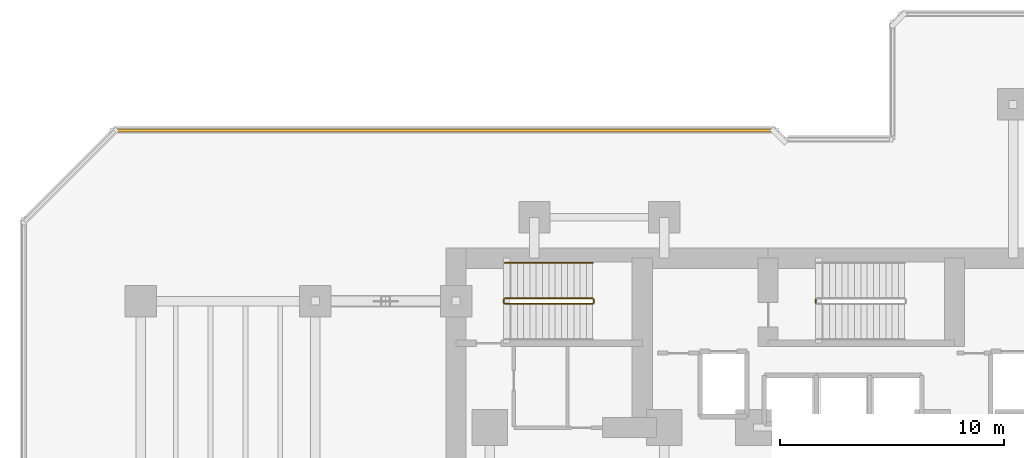
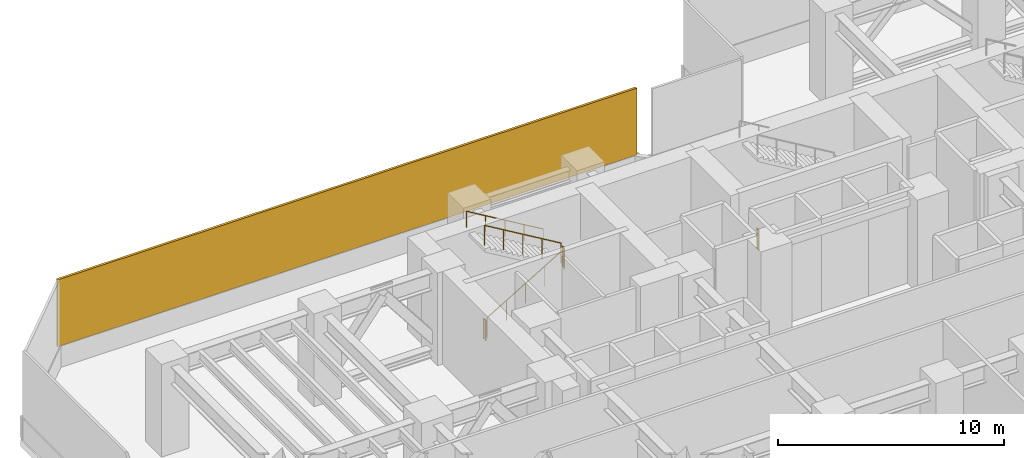
# One storey, part 11 of 13: 6 railings, 1 shading device.
"""IFC4 building model written with IfcOpenShell, lengths in metres."""

from ifc_helpers import new_model, si_unit, direction, frame, origin, origin_2d, place, context, subcontext, project, spatial, rectangle, circle, extrude, material, layer, layer_set, type_object, element, save


model = new_model("IFC4")

# Units and contexts
model_context = context("Model", 3, precision=1e-05, world=origin(), true_north=direction((0.0, 1.0)))
body_context = subcontext(model_context, "Body", "Model", "MODEL_VIEW")
ifc_project = project(units=[si_unit("LENGTHUNIT", "METRE"), si_unit("AREAUNIT", "SQUARE_METRE"), si_unit("VOLUMEUNIT", "CUBIC_METRE"), si_unit("PLANEANGLEUNIT", "RADIAN"), si_unit("MASSUNIT", "GRAM", prefix="KILO")], contexts=[model_context])

# Site, building, storey
site_placement = place(None, origin())
site = spatial("IfcSite", under=ifc_project, at=site_placement, CompositionType="ELEMENT")
building_placement = place(site_placement, origin())
building = spatial("IfcBuilding", under=site, at=building_placement, Name="Kestravale Grand Hotel", CompositionType="ELEMENT")
storey_placement = place(building_placement, frame((0.0, 0.0, 75.39990234375)))
storey = spatial("IfcBuildingStorey", under=building, at=storey_placement, Name="L18", CompositionType="ELEMENT", Elevation=75.39990234375)

# Railings
ifc_material_1 = material(Name="Painted tubular steel stair well guard", Category="steel")
railing_type_1 = type_object("IfcRailingType", Name="RL-ST-GRD1100", PredefinedType="GUARDRAIL", material=ifc_material_1)
railing_1_placement = place(storey_placement, frame((24.080078125, 38.280029296875, 0.166748046875)))
element("IfcRailing", 1, at=railing_1_placement, inside=storey, type_object=railing_type_1, Name="L18 ST-1 stair guard 1", PredefinedType="GUARDRAIL", context=body_context, shape_type="SweptSolid", body=[
    extrude(circle(Radius=0.02392578125, at=origin_2d()), frame((0.0, 0.0, 1.076171875), z_axis=(0.859296244711, 0.0, 0.511478214419), x_axis=(0.0, 1.0, 0.0)), (0.0, 0.0, 1.0), 4.561767578125),
    extrude(circle(Radius=0.02099609375, at=origin_2d()), origin(), (0.0, 0.0, 1.0), 1.052001953125),
    extrude(circle(Radius=0.02099609375, at=origin_2d()), frame((0.97998046875, 0.0, 0.583251953125)), (0.0, 0.0, 1.0), 1.052001953125),
    extrude(circle(Radius=0.02099609375, at=origin_2d()), frame((1.9599609375, 0.0, 1.16650390625)), (0.0, 0.0, 1.0), 1.052001953125),
    extrude(circle(Radius=0.02099609375, at=origin_2d()), frame((2.93994140625, 0.0, 1.75)), (0.0, 0.0, 1.0), 1.052001953125),
    extrude(circle(Radius=0.02099609375, at=origin_2d()), frame((3.919921875, 0.0, 2.333251953125)), (0.0, 0.0, 1.0), 1.052001953125),
])
railing_2_placement = place(storey_placement, frame((28.050048828125, 38.330078125, 2.5)))
element("IfcRailing", 2, at=railing_2_placement, inside=storey, type_object=railing_type_1, Name="L18 ST-1 stair guard 2", PredefinedType="GUARDRAIL", context=body_context, shape_type="SweptSolid", body=[
    extrude(circle(Radius=0.02392578125, at=origin_2d()), frame((0.0, 0.0, 1.076171875), z_axis=(0.0, 1.0, 0.0), x_axis=(-1.0, 0.0, 0.0)), (0.0, 0.0, 1.0), 0.14990234375),
    extrude(circle(Radius=0.02099609375, at=origin_2d()), origin(), (0.0, 0.0, 1.0), 1.052001953125),
    extrude(circle(Radius=0.02099609375, at=origin_2d()), frame((0.0, 0.14990234375, 0.0)), (0.0, 0.0, 1.0), 1.052001953125),
])
railing_3_placement = place(storey_placement, frame((28.0, 38.530029296875, 2.666748046875)))
element("IfcRailing", 3, at=railing_3_placement, inside=storey, type_object=railing_type_1, Name="L18 ST-1 stair guard 3", PredefinedType="GUARDRAIL", context=body_context, shape_type="SweptSolid", body=[
    extrude(circle(Radius=0.02392578125, at=origin_2d()), frame((0.0, 0.0, 1.076171875), z_axis=(-0.859296244711, 0.0, 0.511478214419), x_axis=(0.0, -1.0, 0.0)), (0.0, 0.0, 1.0), 4.561767578125),
    extrude(circle(Radius=0.02099609375, at=origin_2d()), origin(), (0.0, 0.0, 1.0), 1.052001953125),
    extrude(circle(Radius=0.02099609375, at=origin_2d()), frame((-0.97998046875, 0.0, 0.583251953125)), (0.0, 0.0, 1.0), 1.052001953125),
    extrude(circle(Radius=0.02099609375, at=origin_2d()), frame((-1.9599609375, 0.0, 1.16650390625)), (0.0, 0.0, 1.0), 1.052001953125),
    extrude(circle(Radius=0.02099609375, at=origin_2d()), frame((-2.93994140625, 0.0, 1.75)), (0.0, 0.0, 1.0), 1.052001953125),
    extrude(circle(Radius=0.02099609375, at=origin_2d()), frame((-3.919921875, 0.0, 2.333251953125)), (0.0, 0.0, 1.0), 1.052001953125),
])
for number, where, name in (
    (4, (24.030029296875, 38.330078125, 0.0), "L18 ST-1 stair guard 4"),
    (5, (37.97998046875, 38.330078125, 0.0), "L18 ST-2 stair guard 4"),
):
    element("IfcRailing", number, at=place(storey_placement, frame(where)), inside=storey, type_object=railing_type_1, Name=name, PredefinedType="GUARDRAIL", context=body_context, shape_type="SweptSolid", body=[
        extrude(circle(Radius=0.02392578125, at=origin_2d()), frame((0.0, 0.0, 1.076171875), z_axis=(0.0, 1.0, 0.0), x_axis=(-1.0, 0.0, 0.0)), (0.0, 0.0, 1.0), 0.14990234375),
        extrude(circle(Radius=0.02099609375, at=origin_2d()), origin(), (0.0, 0.0, 1.0), 1.052001953125),
        extrude(circle(Radius=0.02099609375, at=origin_2d()), frame((0.0, 0.14990234375, 0.0)), (0.0, 0.0, 1.0), 1.052001953125),
    ])
ifc_material_2 = material(Name="Brushed stainless steel wall handrail", Category="steel")
railing_type_2 = type_object("IfcRailingType", Name="RL-ST-HND900", PredefinedType="HANDRAIL", material=ifc_material_2)
railing_4_placement = place(storey_placement, frame((28.0, 40.110107421875, 2.666748046875)))
element("IfcRailing", 6, at=railing_4_placement, inside=storey, type_object=railing_type_2, Name="L18 ST-1 stair handrail 2", PredefinedType="HANDRAIL", context=body_context, shape_type="SweptSolid", body=[
    extrude(circle(Radius=0.02392578125, at=origin_2d()), frame((0.0, 0.0, 0.8759765625), z_axis=(-0.859296244711, 0.0, 0.511478214419), x_axis=(0.0, -1.0, 0.0)), (0.0, 0.0, 1.0), 4.561767578125),
    extrude(circle(Radius=0.02099609375, at=origin_2d()), origin(), (0.0, 0.0, 1.0), 0.851806640625),
    extrude(circle(Radius=0.02099609375, at=origin_2d()), frame((-0.97998046875, 0.0, 0.583251953125)), (0.0, 0.0, 1.0), 0.851806640625),
    extrude(circle(Radius=0.02099609375, at=origin_2d()), frame((-1.9599609375, 0.0, 1.16650390625)), (0.0, 0.0, 1.0), 0.851806640625),
    extrude(circle(Radius=0.02099609375, at=origin_2d()), frame((-2.93994140625, 0.0, 1.75)), (0.0, 0.0, 1.0), 0.851806640625),
    extrude(circle(Radius=0.02099609375, at=origin_2d()), frame((-3.919921875, 0.0, 2.333251953125)), (0.0, 0.0, 1.0), 0.851806640625),
])

# Shading device
ifc_material_3 = material(Name="Anodised bronze storm-proof acoustic ventilation louvre", Category="aluminium")
ifc_layer = layer(ifc_material_3, 0.1201171875)
ifc_layer_set = layer_set([ifc_layer], Name="SHD-LVR-REF")
shading_device_type = type_object("IfcShadingDeviceType", Name="SHD-LVR-REF", PredefinedType="JALOUSIE", material=ifc_layer_set)
shading_device_placement = place(storey_placement, frame((21.375, 46.030029296875, 1.1298828125), z_axis=(0.0, 0.0, 1.0), x_axis=(-1.0, 0.0, 0.0)))
element("IfcShadingDevice", 7, at=shading_device_placement, inside=storey, type_object=shading_device_type, Name="L18 mechanical refuge chevron louvre 17", PredefinedType="JALOUSIE", context=body_context, shape_type="SweptSolid", body=[
    extrude(rectangle(XDim=29.590087890625, YDim=0.1201171875, at=origin_2d()), origin(), (0.0, 0.0, 1.0), 3.610107421875),
])

save(model, "model.ifc")
